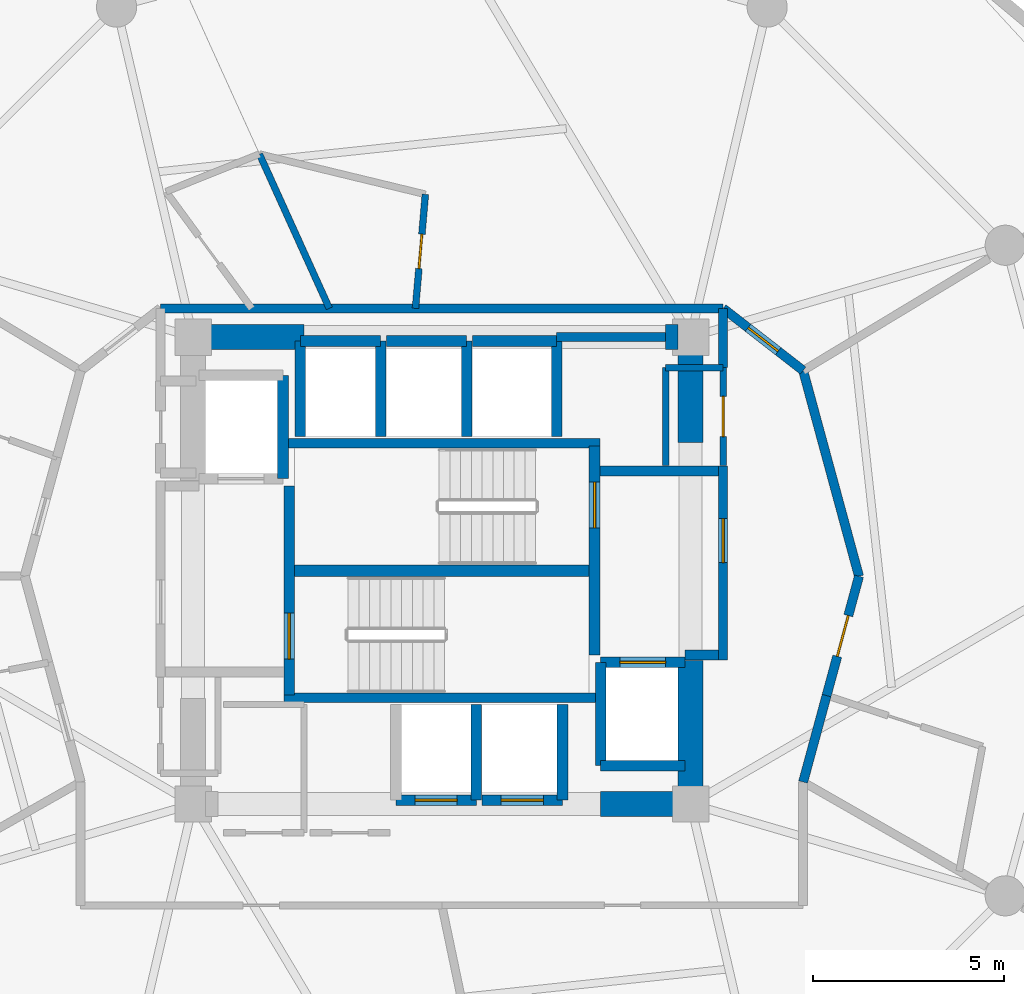
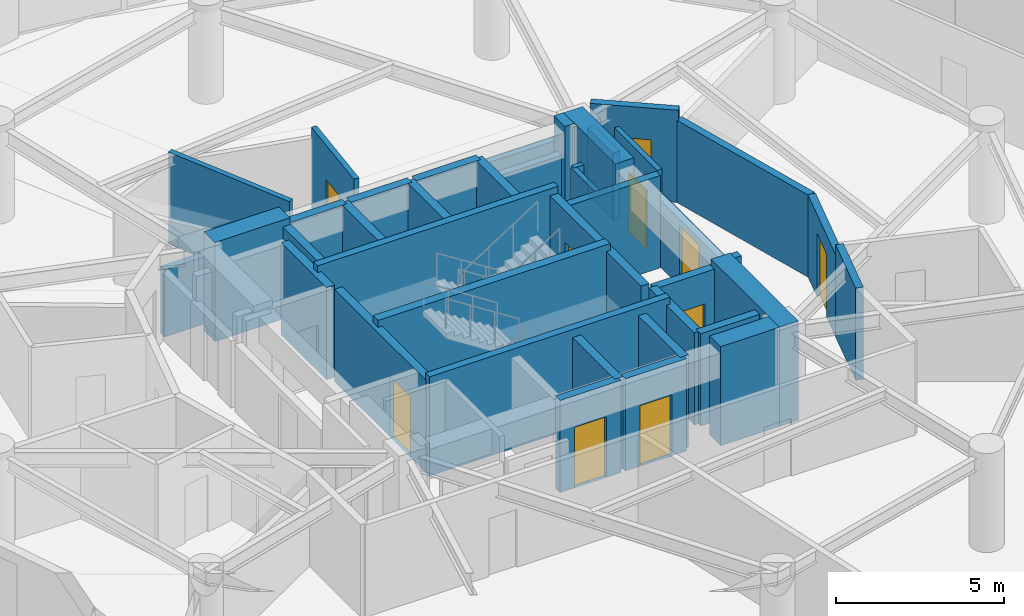
# One storey, part 19 of 22: 40 walls, 10 doors, 10 openings.
"""IFC4 building model written with IfcOpenShell, lengths in metres."""

from ifc_helpers import new_model, si_unit, direction, frame, frame_2d, origin, place, context, subcontext, project, spatial, rectangle, extrude, material, layer, layer_set, type_object, element, fill, save


model = new_model("IFC4")

# Units and contexts
model_context = context("Model", 3, precision=1e-05, world=origin(), true_north=direction((0.0, 1.0)))
body_context = subcontext(model_context, "Body", "Model", "MODEL_VIEW")
ifc_project = project(units=[si_unit("LENGTHUNIT", "METRE"), si_unit("AREAUNIT", "SQUARE_METRE"), si_unit("VOLUMEUNIT", "CUBIC_METRE"), si_unit("PLANEANGLEUNIT", "RADIAN"), si_unit("MASSUNIT", "GRAM", prefix="KILO")], contexts=[model_context])

# Site, building, storey
site_placement = place(None, origin())
site = spatial("IfcSite", under=ifc_project, at=site_placement, CompositionType="ELEMENT")
building_placement = place(site_placement, origin())
building = spatial("IfcBuilding", under=site, at=building_placement, Name="Solvirekh Grand Hotel", CompositionType="ELEMENT")
storey_placement = place(building_placement, frame((0.0, 0.0, 153.0)))
storey = spatial("IfcBuildingStorey", under=building, at=storey_placement, Name="L39", CompositionType="ELEMENT", Elevation=153.0)

# Walls
ifc_material_1 = material(Name="Concrete C50/60", Category="concrete")
ifc_layer_1 = layer(ifc_material_1, 0.35009765625)
ifc_layer_set_1 = layer_set([ifc_layer_1], Name="Concrete C50/60")
wall_type_1 = type_object("IfcWallType", Name="CoreDivWall_RC350", PredefinedType="SOLIDWALL", material=ifc_layer_set_1)
for number, where, z_axis, x_axis, name in (
    (1, (-4.1298828125, -3.324951171875, 0.0), (0.0, 0.0, 1.0), (1.0, 0.0, 0.0), "L39 core stair box wall ST-S"),
    (2, (-4.1298828125, 3.324951171875, 0.0), (0.0, 0.0, 1.0), (1.0, 0.0, 0.0), "L39 core stair box wall ST-N"),
):
    element("IfcWall", number, at=place(storey_placement, frame(where, z_axis=z_axis, x_axis=x_axis)), inside=storey, type_object=wall_type_1, Name=name, PredefinedType="SOLIDWALL", context=body_context, shape_type="SweptSolid", body=[
        extrude(rectangle(XDim=8.259765625, YDim=0.25, at=frame_2d((4.1298828125, 0.0))), origin(), (0.0, 0.0, 1.0), 3.60009765625),
    ])

# Wall, opening, door
ifc_material_2 = material(Name="Concrete C40/50", Category="concrete")
ifc_layer_2 = layer(ifc_material_2, 0.280029296875)
ifc_layer_set_2 = layer_set([ifc_layer_2], Name="Concrete C40/50")
wall_type_2 = type_object("IfcWallType", Name="CoreShaftWall_RC280", PredefinedType="SOLIDWALL", material=ifc_layer_set_2)
wall_1_placement = place(storey_placement, frame((-1.199951171875, -6.0, 0.0), z_axis=(0.0, 0.0, 1.0), x_axis=(1.0, 0.0, 0.0)))
wall_1 = element("IfcWall", 3, at=wall_1_placement, inside=storey, type_object=wall_type_2, Name="L39 MP-1 hoistway S wall", PredefinedType="SOLIDWALL", context=body_context, shape_type="SweptSolid", body=[
    extrude(rectangle(XDim=2.099853515625, YDim=0.280029296875, at=frame_2d((1.0498046875, 0.0))), origin(), (0.0, 0.0, 1.0), 3.35009765625),
])
opening_1_placement = place(wall_1_placement, frame((0.5, 0.0, 0.0)))
opening_1 = element("IfcOpeningElement", 4, at=opening_1_placement, cuts=wall_1, Name="Opening LD01", PredefinedType="OPENING", context=body_context, shape_type="SweptSolid", body=[
    extrude(rectangle(XDim=1.10009765625, YDim=2.199951171875, at=frame_2d((0.550048828125, 1.10009765625))), frame((0.0, 0.14990234375, 0.0), z_axis=(0.0, -1.0, 0.0), x_axis=(1.0, 0.0, 0.0)), (0.0, 0.0, 1.0), 0.300048828125),
])
ifc_material_3 = material(Name="Fire-Rated Steel Door Assembly", Category="steel")
door_type_1 = type_object("IfcDoorType", Name="Door_LiftLanding_1100X2200", OperationType="SLIDING_TO_LEFT", PredefinedType="DOOR", material=ifc_material_3)
door_1_placement = place(opening_1_placement, origin())
door_1 = element("IfcDoor", 5, at=door_1_placement, inside=storey, type_object=door_type_1, Name="L39 MP-1 sliding lift landing door", OperationType="SLIDING_TO_LEFT", OverallHeight=2.199951171875, OverallWidth=1.10009765625, PredefinedType="DOOR", context=body_context, shape_type="SweptSolid", body=[
    extrude(rectangle(XDim=1.10009765625, YDim=2.199951171875, at=frame_2d((0.550048828125, 1.10009765625))), frame((0.0, 0.02490234375, 0.0), z_axis=(0.0, -1.0, 0.0), x_axis=(1.0, 0.0, 0.0)), (0.0, 0.0, 1.0), 0.050048828125),
])
fill(opening_1, door_1)

# Wall
wall_2_placement = place(storey_placement, frame((0.89990234375, -6.0, 0.0), z_axis=(0.0, 0.0, 1.0), x_axis=(0.0, 1.0, 0.0)))
element("IfcWall", 6, at=wall_2_placement, inside=storey, type_object=wall_type_2, Name="L39 MP-1 hoistway E wall", PredefinedType="SOLIDWALL", context=body_context, shape_type="SweptSolid", body=[
    extrude(rectangle(XDim=2.5, YDim=0.280029296875, at=frame_2d((1.25, 0.0))), origin(), (0.0, 0.0, 1.0), 3.35009765625),
])

# Wall, opening, door
wall_3_placement = place(storey_placement, frame((1.050048828125, -6.0, 0.0), z_axis=(0.0, 0.0, 1.0), x_axis=(1.0, 0.0, 0.0)))
wall_3 = element("IfcWall", 7, at=wall_3_placement, inside=storey, type_object=wall_type_2, Name="L39 MP-2 hoistway S wall", PredefinedType="SOLIDWALL", context=body_context, shape_type="SweptSolid", body=[
    extrude(rectangle(XDim=2.099853515625, YDim=0.280029296875, at=frame_2d((1.0498046875, 0.0))), origin(), (0.0, 0.0, 1.0), 3.35009765625),
])
opening_2_placement = place(wall_3_placement, frame((0.5, 0.0, 0.0)))
opening_2 = element("IfcOpeningElement", 8, at=opening_2_placement, cuts=wall_3, Name="Opening LD01", PredefinedType="OPENING", context=body_context, shape_type="SweptSolid", body=[
    extrude(rectangle(XDim=1.10009765625, YDim=2.199951171875, at=frame_2d((0.550048828125, 1.10009765625))), frame((0.0, 0.14990234375, 0.0), z_axis=(0.0, -1.0, 0.0), x_axis=(1.0, 0.0, 0.0)), (0.0, 0.0, 1.0), 0.300048828125),
])
door_2_placement = place(opening_2_placement, origin())
door_2 = element("IfcDoor", 9, at=door_2_placement, inside=storey, type_object=door_type_1, Name="L39 MP-2 sliding lift landing door", OperationType="SLIDING_TO_LEFT", OverallHeight=2.199951171875, OverallWidth=1.10009765625, PredefinedType="DOOR", context=body_context, shape_type="SweptSolid", body=[
    extrude(rectangle(XDim=1.10009765625, YDim=2.199951171875, at=frame_2d((0.550048828125, 1.10009765625))), frame((0.0, 0.02490234375, 0.0), z_axis=(0.0, -1.0, 0.0), x_axis=(1.0, 0.0, 0.0)), (0.0, 0.0, 1.0), 0.050048828125),
])
fill(opening_2, door_2)

# Walls
wall_4_placement = place(storey_placement, frame((3.14990234375, -6.0, 0.0), z_axis=(0.0, 0.0, 1.0), x_axis=(0.0, 1.0, 0.0)))
element("IfcWall", 10, at=wall_4_placement, inside=storey, type_object=wall_type_2, Name="L39 MP-2 hoistway E wall", PredefinedType="SOLIDWALL", context=body_context, shape_type="SweptSolid", body=[
    extrude(rectangle(XDim=2.5, YDim=0.280029296875, at=frame_2d((1.25, 0.0))), origin(), (0.0, 0.0, 1.0), 3.35009765625),
])
wall_5_placement = place(storey_placement, frame((-1.60009765625, 6.0, 0.0), z_axis=(0.0, 0.0, 1.0), x_axis=(-1.0, 0.0, 0.0)))
element("IfcWall", 11, at=wall_5_placement, inside=storey, type_object=wall_type_2, Name="L39 HP-1 hoistway N wall", PredefinedType="SOLIDWALL", context=body_context, shape_type="SweptSolid", body=[
    extrude(rectangle(XDim=2.099853515625, YDim=0.280029296875, at=frame_2d((1.0498046875, 0.0))), origin(), (0.0, 0.0, 1.0), 3.35009765625),
])
for number, where, z_axis, x_axis, name in (
    (12, (-3.699951171875, 6.0, 0.0), (0.0, 0.0, 1.0), (0.0, -1.0, 0.0), "L39 HP-1 hoistway W wall"),
    (13, (-1.60009765625, 3.5, 0.0), (0.0, 0.0, 1.0), (0.0, 1.0, 0.0), "L39 HP-1 hoistway E wall"),
):
    element("IfcWall", number, at=place(storey_placement, frame(where, z_axis=z_axis, x_axis=x_axis)), inside=storey, type_object=wall_type_2, Name=name, PredefinedType="SOLIDWALL", context=body_context, shape_type="SweptSolid", body=[
        extrude(rectangle(XDim=2.5, YDim=0.280029296875, at=frame_2d((1.25, 0.0))), origin(), (0.0, 0.0, 1.0), 3.35009765625),
    ])
wall_6_placement = place(storey_placement, frame((0.64990234375, 6.0, 0.0), z_axis=(0.0, 0.0, 1.0), x_axis=(-1.0, 0.0, 0.0)))
element("IfcWall", 14, at=wall_6_placement, inside=storey, type_object=wall_type_2, Name="L39 HP-2 hoistway N wall", PredefinedType="SOLIDWALL", context=body_context, shape_type="SweptSolid", body=[
    extrude(rectangle(XDim=2.099853515625, YDim=0.280029296875, at=frame_2d((1.0498046875, 0.0))), origin(), (0.0, 0.0, 1.0), 3.35009765625),
])
wall_7_placement = place(storey_placement, frame((0.64990234375, 3.5, 0.0), z_axis=(0.0, 0.0, 1.0), x_axis=(0.0, 1.0, 0.0)))
element("IfcWall", 15, at=wall_7_placement, inside=storey, type_object=wall_type_2, Name="L39 HP-2 hoistway E wall", PredefinedType="SOLIDWALL", context=body_context, shape_type="SweptSolid", body=[
    extrude(rectangle(XDim=2.5, YDim=0.280029296875, at=frame_2d((1.25, 0.0))), origin(), (0.0, 0.0, 1.0), 3.35009765625),
])
wall_8_placement = place(storey_placement, frame((3.0, 6.0, 0.0), z_axis=(0.0, 0.0, 1.0), x_axis=(-1.0, 0.0, 0.0)))
element("IfcWall", 16, at=wall_8_placement, inside=storey, type_object=wall_type_2, Name="L39 EX-1 hoistway N wall", PredefinedType="SOLIDWALL", context=body_context, shape_type="SweptSolid", body=[
    extrude(rectangle(XDim=2.199951171875, YDim=0.280029296875, at=frame_2d((1.10009765625, 0.0))), origin(), (0.0, 0.0, 1.0), 3.35009765625),
])
wall_9_placement = place(storey_placement, frame((3.0, 3.5, 0.0), z_axis=(0.0, 0.0, 1.0), x_axis=(0.0, 1.0, 0.0)))
element("IfcWall", 17, at=wall_9_placement, inside=storey, type_object=wall_type_2, Name="L39 EX-1 hoistway E wall", PredefinedType="SOLIDWALL", context=body_context, shape_type="SweptSolid", body=[
    extrude(rectangle(XDim=2.5, YDim=0.280029296875, at=frame_2d((1.25, 0.0))), origin(), (0.0, 0.0, 1.0), 3.35009765625),
])
wall_10_placement = place(storey_placement, frame((-4.14990234375, 2.39990234375, 0.0), z_axis=(0.0, 0.0, 1.0), x_axis=(0.0, 1.0, 0.0)))
element("IfcWall", 18, at=wall_10_placement, inside=storey, type_object=wall_type_2, Name="L39 FL-1 hoistway E wall", PredefinedType="SOLIDWALL", context=body_context, shape_type="SweptSolid", body=[
    extrude(rectangle(XDim=2.7001953125, YDim=0.280029296875, at=frame_2d((1.35009765625, 0.0))), origin(), (0.0, 0.0, 1.0), 3.35009765625),
])
wall_11_placement = place(storey_placement, frame((4.14990234375, -5.10009765625, 0.0), z_axis=(0.0, 0.0, 1.0), x_axis=(1.0, 0.0, 0.0)))
element("IfcWall", 19, at=wall_11_placement, inside=storey, type_object=wall_type_2, Name="L39 FL-2 hoistway S wall", PredefinedType="SOLIDWALL", context=body_context, shape_type="SweptSolid", body=[
    extrude(rectangle(XDim=2.2001953125, YDim=0.280029296875, at=frame_2d((1.10009765625, 0.0))), origin(), (0.0, 0.0, 1.0), 3.35009765625),
])

# Wall, opening, door
wall_12_placement = place(storey_placement, frame((6.35009765625, -2.39990234375, 0.0), z_axis=(0.0, 0.0, 1.0), x_axis=(-1.0, 0.0, 0.0)))
wall_12 = element("IfcWall", 20, at=wall_12_placement, inside=storey, type_object=wall_type_2, Name="L39 FL-2 hoistway N wall", PredefinedType="SOLIDWALL", context=body_context, shape_type="SweptSolid", body=[
    extrude(rectangle(XDim=2.2001953125, YDim=0.280029296875, at=frame_2d((1.10009765625, 0.0))), origin(), (0.0, 0.0, 1.0), 3.35009765625),
])
opening_3_placement = place(wall_12_placement, frame((0.5, 0.0, 0.0)))
opening_3 = element("IfcOpeningElement", 21, at=opening_3_placement, cuts=wall_12, Name="Opening LD02", PredefinedType="OPENING", context=body_context, shape_type="SweptSolid", body=[
    extrude(rectangle(XDim=1.199951171875, YDim=2.199951171875, at=frame_2d((0.60009765625, 1.10009765625))), frame((0.0, 0.14990234375, 0.0), z_axis=(0.0, -1.0, 0.0), x_axis=(1.0, 0.0, 0.0)), (0.0, 0.0, 1.0), 0.300048828125),
])
door_type_2 = type_object("IfcDoorType", Name="Door_LiftFF_1200X2200", OperationType="SLIDING_TO_LEFT", PredefinedType="DOOR", material=ifc_material_3)
door_3_placement = place(opening_3_placement, origin())
door_3 = element("IfcDoor", 22, at=door_3_placement, inside=storey, type_object=door_type_2, Name="L39 FL-2 sliding lift landing door", OperationType="SLIDING_TO_LEFT", OverallHeight=2.199951171875, OverallWidth=1.199951171875, PredefinedType="DOOR", context=body_context, shape_type="SweptSolid", body=[
    extrude(rectangle(XDim=1.199951171875, YDim=2.199951171875, at=frame_2d((0.60009765625, 1.10009765625))), frame((0.0, 0.02490234375, 0.0), z_axis=(0.0, -1.0, 0.0), x_axis=(1.0, 0.0, 0.0)), (0.0, 0.0, 1.0), 0.050048828125),
])
fill(opening_3, door_3)

# Wall
wall_13_placement = place(storey_placement, frame((4.14990234375, -2.39990234375, 0.0), z_axis=(0.0, 0.0, 1.0), x_axis=(0.0, -1.0, 0.0)))
element("IfcWall", 23, at=wall_13_placement, inside=storey, type_object=wall_type_2, Name="L39 FL-2 hoistway W wall", PredefinedType="SOLIDWALL", context=body_context, shape_type="SweptSolid", body=[
    extrude(rectangle(XDim=2.7001953125, YDim=0.280029296875, at=frame_2d((1.35009765625, 0.0))), origin(), (0.0, 0.0, 1.0), 3.35009765625),
])

# Wall, opening, door
wall_14_placement = place(storey_placement, frame((-3.989990234375, -3.25, 0.0), z_axis=(0.0, 0.0, 1.0), x_axis=(0.0, 1.0, 0.0)))
wall_14 = element("IfcWall", 24, at=wall_14_placement, inside=storey, type_object=wall_type_2, Name="L39 west stair landing enclosure wall", PredefinedType="SOLIDWALL", context=body_context, shape_type="SweptSolid", body=[
    extrude(rectangle(XDim=5.4599609375, YDim=0.280029296875, at=frame_2d((2.72998046875, 0.0))), origin(), (0.0, 0.0, 1.0), 3.35009765625),
])
opening_4_placement = place(wall_14_placement, frame((0.93701171875, 0.0, 0.0)))
opening_4 = element("IfcOpeningElement", 25, at=opening_4_placement, cuts=wall_14, Name="Opening D05", PredefinedType="OPENING", context=body_context, shape_type="SweptSolid", body=[
    extrude(rectangle(XDim=1.199951171875, YDim=2.199951171875, at=frame_2d((0.60009765625, 1.10009765625))), frame((0.0, 0.14990234375, 0.0), z_axis=(0.0, -1.0, 0.0), x_axis=(1.0, 0.0, 0.0)), (0.0, 0.0, 1.0), 0.300048828125),
])
door_type_3 = type_object("IfcDoorType", Name="Door_StairCore_1200X2200", OperationType="NOTDEFINED", PredefinedType="DOOR", material=ifc_material_3)
door_4_placement = place(opening_4_placement, origin())
door_4 = element("IfcDoor", 26, at=door_4_placement, inside=storey, type_object=door_type_3, Name="L39 exit stair ST-1 fire door", OperationType="SINGLE_SWING_LEFT", OverallHeight=2.199951171875, OverallWidth=1.199951171875, PredefinedType="DOOR", context=body_context, shape_type="SweptSolid", body=[
    extrude(rectangle(XDim=1.199951171875, YDim=2.199951171875, at=frame_2d((0.60009765625, 1.10009765625))), frame((0.0, 0.02490234375, 0.0), z_axis=(0.0, -1.0, 0.0), x_axis=(1.0, 0.0, 0.0)), (0.0, 0.0, 1.0), 0.050048828125),
])
fill(opening_4, door_4)

wall_15_placement = place(storey_placement, frame((3.989990234375, -2.2099609375, 0.0), z_axis=(0.0, 0.0, 1.0), x_axis=(0.0, 1.0, 0.0)))
wall_15 = element("IfcWall", 27, at=wall_15_placement, inside=storey, type_object=wall_type_2, Name="L39 east stair landing enclosure wall", PredefinedType="SOLIDWALL", context=body_context, shape_type="SweptSolid", body=[
    extrude(rectangle(XDim=5.4599609375, YDim=0.280029296875, at=frame_2d((2.72998046875, 0.0))), origin(), (0.0, 0.0, 1.0), 3.35009765625),
])
opening_5_placement = place(wall_15_placement, frame((3.322998046875, 0.0, 0.0)))
opening_5 = element("IfcOpeningElement", 28, at=opening_5_placement, cuts=wall_15, Name="Opening D05", PredefinedType="OPENING", context=body_context, shape_type="SweptSolid", body=[
    extrude(rectangle(XDim=1.199951171875, YDim=2.199951171875, at=frame_2d((0.60009765625, 1.10009765625))), frame((0.0, 0.14990234375, 0.0), z_axis=(0.0, -1.0, 0.0), x_axis=(1.0, 0.0, 0.0)), (0.0, 0.0, 1.0), 0.300048828125),
])
door_5_placement = place(opening_5_placement, origin())
door_5 = element("IfcDoor", 29, at=door_5_placement, inside=storey, type_object=door_type_3, Name="L39 exit stair ST-2 fire door", OperationType="SINGLE_SWING_RIGHT", OverallHeight=2.199951171875, OverallWidth=1.199951171875, PredefinedType="DOOR", context=body_context, shape_type="SweptSolid", body=[
    extrude(rectangle(XDim=1.199951171875, YDim=2.199951171875, at=frame_2d((0.60009765625, 1.10009765625))), frame((0.0, 0.02490234375, 0.0), z_axis=(0.0, -1.0, 0.0), x_axis=(1.0, 0.0, 0.0)), (0.0, 0.0, 1.0), 0.050048828125),
])
fill(opening_5, door_5)

# Walls
ifc_layer_3 = layer(ifc_material_1, 0.64990234375)
ifc_layer_set_3 = layer_set([ifc_layer_3], Name="Concrete C50/60")
wall_type_3 = type_object("IfcWallType", Name="CoreWall_RC650", PredefinedType="SHEAR", material=ifc_layer_set_3)
wall_16_placement = place(storey_placement, frame((-3.989990234375, 0.0, 0.0), z_axis=(0.0, 0.0, 1.0), x_axis=(1.0, 0.0, 0.0)))
element("IfcWall", 30, at=wall_16_placement, inside=storey, type_object=wall_type_3, Name="L39 central stair-spine shear wall", PredefinedType="SHEAR", context=body_context, shape_type="SweptSolid", body=[
    extrude(rectangle(XDim=7.97998046875, YDim=0.300048828125, at=frame_2d((3.989990234375, 0.0))), origin(), (0.0, 0.0, 1.0), 3.60009765625),
])
wall_17_placement = place(storey_placement, frame((4.14990234375, -6.10009765625, 0.0), z_axis=(0.0, 0.0, 1.0), x_axis=(1.0, 0.0, 0.0)))
element("IfcWall", 31, at=wall_17_placement, inside=storey, type_object=wall_type_3, Name="L39 core corner shear wall SE-S", PredefinedType="SHEAR", context=body_context, shape_type="SweptSolid", body=[
    extrude(rectangle(XDim=2.025146484375, YDim=0.64990234375, at=frame_2d((1.0126953125, 0.0))), origin(), (0.0, 0.0, 1.0), 3.60009765625),
])
wall_18_placement = place(storey_placement, frame((-6.175048828125, 6.10009765625, 0.0), z_axis=(0.0, 0.0, 1.0), x_axis=(1.0, 0.0, 0.0)))
element("IfcWall", 32, at=wall_18_placement, inside=storey, type_object=wall_type_3, Name="L39 core corner shear wall NW-N", PredefinedType="SHEAR", context=body_context, shape_type="SweptSolid", body=[
    extrude(rectangle(XDim=2.574951171875, YDim=0.64990234375, at=frame_2d((1.28759765625, 0.0))), origin(), (0.0, 0.0, 1.0), 3.60009765625),
])
wall_19_placement = place(storey_placement, frame((5.85009765625, 6.10009765625, 0.0), z_axis=(0.0, 0.0, 1.0), x_axis=(1.0, 0.0, 0.0)))
element("IfcWall", 33, at=wall_19_placement, inside=storey, type_object=wall_type_3, Name="L39 core corner shear wall NE-N", PredefinedType="SHEAR", context=body_context, shape_type="SweptSolid", body=[
    extrude(rectangle(XDim=0.324951171875, YDim=0.64990234375, at=frame_2d((0.16259765625, 0.0))), origin(), (0.0, 0.0, 1.0), 3.60009765625),
])
wall_20_placement = place(storey_placement, frame((6.5, -6.425048828125, 0.0), z_axis=(0.0, 0.0, 1.0), x_axis=(0.0, 1.0, 0.0)))
element("IfcWall", 34, at=wall_20_placement, inside=storey, type_object=wall_type_3, Name="L39 core corner shear wall ES-E", PredefinedType="SHEAR", context=body_context, shape_type="SweptSolid", body=[
    extrude(rectangle(XDim=4.074951171875, YDim=0.64990234375, at=frame_2d((2.03759765625, 0.0))), origin(), (0.0, 0.0, 1.0), 3.60009765625),
])
wall_21_placement = place(storey_placement, frame((6.5, 3.35009765625, 0.0), z_axis=(0.0, 0.0, 1.0), x_axis=(0.0, 1.0, 0.0)))
element("IfcWall", 35, at=wall_21_placement, inside=storey, type_object=wall_type_3, Name="L39 core corner shear wall EN-E", PredefinedType="SHEAR", context=body_context, shape_type="SweptSolid", body=[
    extrude(rectangle(XDim=3.074951171875, YDim=0.64990234375, at=frame_2d((1.53759765625, 0.0))), origin(), (0.0, 0.0, 1.0), 3.60009765625),
])

# Wall, opening, door
ifc_material_4 = material(Name="Acoustic Gypsum Partition Assembly")
ifc_layer_4 = layer(ifc_material_4, 0.1650390625)
ifc_layer_set_4 = layer_set([ifc_layer_4], Name="Acoustic Gypsum Partition Assembly")
wall_type_4 = type_object("IfcWallType", Name="Part_BOH_165", PredefinedType="PARTITIONING", material=ifc_layer_set_4)
wall_22_placement = place(storey_placement, frame((7.35009765625, 2.75, 0.0), z_axis=(0.0, 0.0, 1.0), x_axis=(0.0, 1.0, 0.0)))
wall_22 = element("IfcWall", 36, at=wall_22_placement, inside=storey, type_object=wall_type_4, Name="L39 L39 Telecom Distribution Room wall 2", PredefinedType="PARTITIONING", context=body_context, shape_type="SweptSolid", body=[
    extrude(rectangle(XDim=2.550048828125, YDim=0.1650390625, at=frame_2d((1.27490234375, 0.0))), origin(), (0.0, 0.0, 1.0), 3.35009765625),
])
opening_6_placement = place(wall_22_placement, frame((0.75, 0.0, 0.0)))
opening_6 = element("IfcOpeningElement", 37, at=opening_6_placement, cuts=wall_22, Name="Opening D12", PredefinedType="OPENING", context=body_context, shape_type="SweptSolid", body=[
    extrude(rectangle(XDim=1.050048828125, YDim=2.14990234375, at=frame_2d((0.52490234375, 1.074951171875))), frame((0.0, 0.092529296875, 0.0), z_axis=(0.0, -1.0, 0.0), x_axis=(1.0, 0.0, 0.0)), (0.0, 0.0, 1.0), 0.18505859375),
])
door_type_4 = type_object("IfcDoorType", Name="Door_PlantBOH_1050X2150", OperationType="NOTDEFINED", PredefinedType="DOOR", material=ifc_material_3)
door_6_placement = place(opening_6_placement, origin())
door_6 = element("IfcDoor", 38, at=door_6_placement, inside=storey, type_object=door_type_4, Name="L39 L39 Telecom Distribution Room door", OperationType="SINGLE_SWING_LEFT", OverallHeight=2.14990234375, OverallWidth=1.050048828125, PredefinedType="DOOR", context=body_context, shape_type="SweptSolid", body=[
    extrude(rectangle(XDim=1.050048828125, YDim=2.14990234375, at=frame_2d((0.52490234375, 1.074951171875))), frame((0.0, 0.02490234375, 0.0), z_axis=(0.0, -1.0, 0.0), x_axis=(1.0, 0.0, 0.0)), (0.0, 0.0, 1.0), 0.050048828125),
])
fill(opening_6, door_6)

# Walls
wall_23_placement = place(storey_placement, frame((7.35009765625, 5.300048828125, 0.0), z_axis=(0.0, 0.0, 1.0), x_axis=(-1.0, 0.0, 0.0)))
element("IfcWall", 39, at=wall_23_placement, inside=storey, type_object=wall_type_4, Name="L39 L39 Telecom Distribution Room wall 3", PredefinedType="PARTITIONING", context=body_context, shape_type="SweptSolid", body=[
    extrude(rectangle(XDim=1.5, YDim=0.1650390625, at=frame_2d((0.75, 0.0))), origin(), (0.0, 0.0, 1.0), 2.43505859375),
])
wall_24_placement = place(storey_placement, frame((5.85009765625, 5.300048828125, 0.0), z_axis=(0.0, 0.0, 1.0), x_axis=(0.0, -1.0, 0.0)))
element("IfcWall", 40, at=wall_24_placement, inside=storey, type_object=wall_type_4, Name="L39 L39 Telecom Distribution Room wall 4", PredefinedType="PARTITIONING", context=body_context, shape_type="SweptSolid", body=[
    extrude(rectangle(XDim=2.550048828125, YDim=0.1650390625, at=frame_2d((1.27490234375, 0.0))), origin(), (0.0, 0.0, 1.0), 2.43505859375),
])

# Wall, opening, door
ifc_layer_5 = layer(ifc_material_4, 0.239990234375)
ifc_layer_set_5 = layer_set([ifc_layer_5], Name="Acoustic Gypsum Partition Assembly")
wall_type_5 = type_object("IfcWallType", Name="Part_Corridor_240", PredefinedType="PARTITIONING", material=ifc_layer_set_5)
wall_25_placement = place(storey_placement, frame((7.35009765625, -2.340087890625, 0.0), z_axis=(0.0, 0.0, 1.0), x_axis=(0.0, 1.0, 0.0)))
wall_25 = element("IfcWall", 41, at=wall_25_placement, inside=storey, type_object=wall_type_5, Name="L39 east firefighting lobby smoke screen wall", PredefinedType="PARTITIONING", context=body_context, shape_type="SweptSolid", body=[
    extrude(rectangle(XDim=5.070068359375, YDim=0.239990234375, at=frame_2d((2.53515625, 0.0))), origin(), (0.0, 0.0, 1.0), 2.43505859375),
])
opening_7_placement = place(wall_25_placement, frame((2.548095703125, 0.0, 0.0)))
opening_7 = element("IfcOpeningElement", 42, at=opening_7_placement, cuts=wall_25, Name="Opening D06", PredefinedType="OPENING", context=body_context, shape_type="SweptSolid", body=[
    extrude(rectangle(XDim=1.14990234375, YDim=2.199951171875, at=frame_2d((0.574951171875, 1.10009765625))), frame((0.0, 0.1298828125, 0.0), z_axis=(0.0, -1.0, 0.0), x_axis=(1.0, 0.0, 0.0)), (0.0, 0.0, 1.0), 0.260009765625),
])
door_type_5 = type_object("IfcDoorType", Name="Door_FFLobby_1150X2200", OperationType="NOTDEFINED", PredefinedType="DOOR", material=ifc_material_3)
door_7_placement = place(opening_7_placement, origin())
door_7 = element("IfcDoor", 43, at=door_7_placement, inside=storey, type_object=door_type_5, Name="L39 east firefighting lobby smoke door", OperationType="SINGLE_SWING_RIGHT", OverallHeight=2.199951171875, OverallWidth=1.14990234375, PredefinedType="DOOR", context=body_context, shape_type="SweptSolid", body=[
    extrude(rectangle(XDim=1.14990234375, YDim=2.199951171875, at=frame_2d((0.574951171875, 1.10009765625))), frame((0.0, 0.02490234375, 0.0), z_axis=(0.0, -1.0, 0.0), x_axis=(1.0, 0.0, 0.0)), (0.0, 0.0, 1.0), 0.050048828125),
])
fill(opening_7, door_7)

# Walls
wall_26_placement = place(storey_placement, frame((-7.35009765625, 6.85009765625, 0.0), z_axis=(0.0, 0.0, 1.0), x_axis=(1.0, 0.0, 0.0)))
element("IfcWall", 44, at=wall_26_placement, inside=storey, type_object=wall_type_5, Name="L39 north core backing partition", PredefinedType="PARTITIONING", context=body_context, shape_type="SweptSolid", body=[
    extrude(rectangle(XDim=14.7001953125, YDim=0.239990234375, at=frame_2d((7.35009765625, 0.0))), origin(), (0.0, 0.0, 1.0), 2.43505859375),
])
wall_27_placement = place(storey_placement, frame((7.35009765625, 5.300048828125, 0.0), z_axis=(0.0, 0.0, 1.0), x_axis=(0.0, 1.0, 0.0)))
element("IfcWall", 45, at=wall_27_placement, inside=storey, type_object=wall_type_5, Name="L39 NE core cheek closure wall", PredefinedType="PARTITIONING", context=body_context, shape_type="SweptSolid", body=[
    extrude(rectangle(XDim=1.550048828125, YDim=0.239990234375, at=frame_2d((0.77490234375, 0.0))), origin(), (0.0, 0.0, 1.0), 2.43505859375),
])
wall_28_placement = place(storey_placement, frame((3.0, 6.10009765625, 0.0), z_axis=(0.0, 0.0, 1.0), x_axis=(1.0, 0.0, 0.0)))
element("IfcWall", 46, at=wall_28_placement, inside=storey, type_object=wall_type_5, Name="L39 north core shaft infill wall", PredefinedType="PARTITIONING", context=body_context, shape_type="SweptSolid", body=[
    extrude(rectangle(XDim=2.85009765625, YDim=0.239990234375, at=frame_2d((1.425048828125, 0.0))), origin(), (0.0, 0.0, 1.0), 2.43505859375),
])

# Wall, opening, door
wall_29_placement = place(storey_placement, frame((7.35009765625, 6.85009765625, 0.0), z_axis=(0.0, 0.0, 1.0), x_axis=(0.789431664708, -0.613838453306, 0.0)))
wall_29 = element("IfcWall", 47, at=wall_29_placement, inside=storey, type_object=wall_type_5, Name="L39 Panorama Suite 4101 entrance wall", PredefinedType="PARTITIONING", context=body_context, shape_type="SweptSolid", body=[
    extrude(rectangle(XDim=2.647216796875, YDim=0.239990234375, at=frame_2d((1.32373046875, 0.0))), origin(), (0.0, 0.0, 1.0), 3.35009765625),
])
opening_8_placement = place(wall_29_placement, frame((0.823974609375, 0.0, 0.0)))
opening_8 = element("IfcOpeningElement", 48, at=opening_8_placement, cuts=wall_29, Name="Opening D07", PredefinedType="OPENING", context=body_context, shape_type="SweptSolid", body=[
    extrude(rectangle(XDim=1.0, YDim=2.199951171875, at=frame_2d((0.5, 1.10009765625))), frame((0.0, 0.1298828125, 0.0), z_axis=(0.0, -1.0, 0.0), x_axis=(1.0, 0.0, 0.0)), (0.0, 0.0, 1.0), 0.260009765625),
])
door_type_6 = type_object("IfcDoorType", Name="Door_GuestEntry_1000X2200", OperationType="NOTDEFINED", PredefinedType="DOOR", material=ifc_material_3)
door_8_placement = place(opening_8_placement, origin())
door_8 = element("IfcDoor", 49, at=door_8_placement, inside=storey, type_object=door_type_6, Name="L39 Panorama Suite 4101 entrance door", OperationType="SINGLE_SWING_LEFT", OverallHeight=2.199951171875, OverallWidth=1.0, PredefinedType="DOOR", context=body_context, shape_type="SweptSolid", body=[
    extrude(rectangle(XDim=1.0, YDim=2.199951171875, at=frame_2d((0.5, 1.10009765625))), frame((0.0, 0.02490234375, 0.0), z_axis=(0.0, -1.0, 0.0), x_axis=(1.0, 0.0, 0.0)), (0.0, 0.0, 1.0), 0.050048828125),
])
fill(opening_8, door_8)

# Walls
wall_30_placement = place(storey_placement, frame((9.43994140625, -5.52490234375, 0.0), z_axis=(0.0, 0.0, 1.0), x_axis=(0.262136756532, 0.965030735715, 0.0)))
element("IfcWall", 50, at=wall_30_placement, inside=storey, type_object=wall_type_5, Name="L39 En-suite Bathroom 4105 corridor backing wall", PredefinedType="PARTITIONING", context=body_context, shape_type="SweptSolid", body=[
    extrude(rectangle(XDim=2.338623046875, YDim=0.239990234375, at=frame_2d((1.16943359375, 0.0))), origin(), (0.0, 0.0, 1.0), 3.35009765625),
])
wall_31_placement = place(storey_placement, frame((10.89990234375, -0.14990234375, 0.0), z_axis=(0.0, 0.0, 1.0), x_axis=(-0.262123261283, 0.965034401405, 0.0)))
element("IfcWall", 51, at=wall_31_placement, inside=storey, type_object=wall_type_5, Name="L39 Executive Suite 4105 Living Room corridor wall 1", PredefinedType="PARTITIONING", context=body_context, shape_type="SweptSolid", body=[
    extrude(rectangle(XDim=5.56982421875, YDim=0.239990234375, at=frame_2d((2.784912109375, 0.0))), origin(), (0.0, 0.0, 1.0), 2.985107421875),
])

# Wall, opening, door
wall_32_placement = place(storey_placement, frame((10.052978515625, -3.26806640625, 0.0), z_axis=(0.0, 0.0, 1.0), x_axis=(0.26211349372, 0.965037054423, 0.0)))
wall_32 = element("IfcWall", 52, at=wall_32_placement, inside=storey, type_object=wall_type_5, Name="L39 Executive Suite 4105 Living Room entrance wall", PredefinedType="PARTITIONING", context=body_context, shape_type="SweptSolid", body=[
    extrude(rectangle(XDim=3.231201171875, YDim=0.239990234375, at=frame_2d((1.61572265625, 0.0))), origin(), (0.0, 0.0, 1.0), 2.985107421875),
])
opening_9_placement = place(wall_32_placement, frame((1.06494140625, 0.0, 0.0)))
opening_9 = element("IfcOpeningElement", 53, at=opening_9_placement, cuts=wall_32, Name="Opening D08", PredefinedType="OPENING", context=body_context, shape_type="SweptSolid", body=[
    extrude(rectangle(XDim=1.10009765625, YDim=2.300048828125, at=frame_2d((0.550048828125, 1.14990234375))), frame((0.0, 0.1298828125, 0.0), z_axis=(0.0, -1.0, 0.0), x_axis=(1.0, 0.0, 0.0)), (0.0, 0.0, 1.0), 0.260009765625),
])
door_type_7 = type_object("IfcDoorType", Name="Door_SuiteEntry_1100X2300", OperationType="NOTDEFINED", PredefinedType="DOOR", material=ifc_material_3)
door_9_placement = place(opening_9_placement, origin())
door_9 = element("IfcDoor", 54, at=door_9_placement, inside=storey, type_object=door_type_7, Name="L39 Executive Suite 4105 Living Room entrance door", OperationType="SINGLE_SWING_LEFT", OverallHeight=2.300048828125, OverallWidth=1.10009765625, PredefinedType="DOOR", context=body_context, shape_type="SweptSolid", body=[
    extrude(rectangle(XDim=1.10009765625, YDim=2.300048828125, at=frame_2d((0.550048828125, 1.14990234375))), frame((0.0, 0.02490234375, 0.0), z_axis=(0.0, -1.0, 0.0), x_axis=(1.0, 0.0, 0.0)), (0.0, 0.0, 1.0), 0.050048828125),
])
fill(opening_9, door_9)

# Walls
ifc_layer_6 = layer(ifc_material_4, 0.260009765625)
ifc_layer_set_6 = layer_set([ifc_layer_6], Name="Acoustic Gypsum Partition Assembly")
wall_type_6 = type_object("IfcWallType", Name="Part_LobbyFF_260", PredefinedType="PARTITIONING", material=ifc_layer_set_6)
wall_33_placement = place(storey_placement, frame((6.35009765625, -2.2099609375, 0.0), z_axis=(0.0, 0.0, 1.0), x_axis=(1.0, 0.0, 0.0)))
element("IfcWall", 55, at=wall_33_placement, inside=storey, type_object=wall_type_6, Name="L39 east firefighting lobby SE cheek", PredefinedType="PARTITIONING", context=body_context, shape_type="SweptSolid", body=[
    extrude(rectangle(XDim=0.875, YDim=0.260009765625, at=frame_2d((0.4375, 0.0))), origin(), (0.0, 0.0, 1.0), 3.35009765625),
])
wall_34_placement = place(storey_placement, frame((4.1298828125, 2.60009765625, 0.0), z_axis=(0.0, 0.0, 1.0), x_axis=(1.0, 0.0, 0.0)))
element("IfcWall", 56, at=wall_34_placement, inside=storey, type_object=wall_type_6, Name="L39 east firefighting lobby north partition", PredefinedType="PARTITIONING", context=body_context, shape_type="SweptSolid", body=[
    extrude(rectangle(XDim=3.09521484375, YDim=0.260009765625, at=frame_2d((1.547607421875, 0.0))), origin(), (0.0, 0.0, 1.0), 3.35009765625),
])
ifc_layer_7 = layer(ifc_material_4, 0.175048828125)
ifc_layer_set_7 = layer_set([ifc_layer_7], Name="Acoustic Gypsum Partition Assembly")
wall_type_7 = type_object("IfcWallType", Name="Plumb_Ensuite_175", PredefinedType="PLUMBINGWALL", material=ifc_layer_set_7)
wall_35_placement = place(storey_placement, frame((-4.76611328125, 10.881103515625, 0.0), z_axis=(0.0, 0.0, 1.0), x_axis=(0.412659574377, -0.910885325206, 0.0)))
element("IfcWall", 57, at=wall_35_placement, inside=storey, type_object=wall_type_7, Name="L39 En-suite Bathroom 4101 side plumbing wall", PredefinedType="PLUMBINGWALL", context=body_context, shape_type="SweptSolid", body=[
    extrude(rectangle(XDim=4.42529296875, YDim=0.175048828125, at=frame_2d((2.212646484375, 0.0))), origin(), (0.0, 0.0, 1.0), 3.35009765625),
])

# Wall, opening, door
wall_36_placement = place(storey_placement, frame((-0.68994140625, 6.85009765625, 0.0), z_axis=(0.0, 0.0, 1.0), x_axis=(0.086569761216, 0.99624579118, 0.0)))
wall_36 = element("IfcWall", 58, at=wall_36_placement, inside=storey, type_object=wall_type_7, Name="L39 En-suite Bathroom 4101 entry plumbing wall", PredefinedType="PLUMBINGWALL", context=body_context, shape_type="SweptSolid", body=[
    extrude(rectangle(XDim=2.9921875, YDim=0.175048828125, at=frame_2d((1.49609375, 0.0))), origin(), (0.0, 0.0, 1.0), 3.35009765625),
])
opening_10_placement = place(wall_36_placement, frame((1.0458984375, 0.0, 0.0)))
opening_10 = element("IfcOpeningElement", 59, at=opening_10_placement, cuts=wall_36, Name="Opening D09", PredefinedType="OPENING", context=body_context, shape_type="SweptSolid", body=[
    extrude(rectangle(XDim=0.89990234375, YDim=2.10009765625, at=frame_2d((0.449951171875, 1.050048828125))), frame((0.0, 0.09765625, 0.0), z_axis=(0.0, -1.0, 0.0), x_axis=(1.0, 0.0, 0.0)), (0.0, 0.0, 1.0), 0.195068359375),
])
ifc_material_5 = material(Name="Anodized Bronze Aluminium 6063-T6", Category="aluminium")
door_type_8 = type_object("IfcDoorType", Name="Door_Ensuite_900X2100", OperationType="NOTDEFINED", PredefinedType="DOOR", material=ifc_material_5)
door_10_placement = place(opening_10_placement, origin())
door_10 = element("IfcDoor", 60, at=door_10_placement, inside=storey, type_object=door_type_8, Name="L39 En-suite Bathroom 4101 door", OperationType="SINGLE_SWING_RIGHT", OverallHeight=2.10009765625, OverallWidth=0.89990234375, PredefinedType="DOOR", context=body_context, shape_type="SweptSolid", body=[
    extrude(rectangle(XDim=0.89990234375, YDim=2.10009765625, at=frame_2d((0.449951171875, 1.050048828125))), frame((0.0, 0.02490234375, 0.0), z_axis=(0.0, -1.0, 0.0), x_axis=(1.0, 0.0, 0.0)), (0.0, 0.0, 1.0), 0.050048828125),
])
fill(opening_10, door_10)

save(model, "model.ifc")
